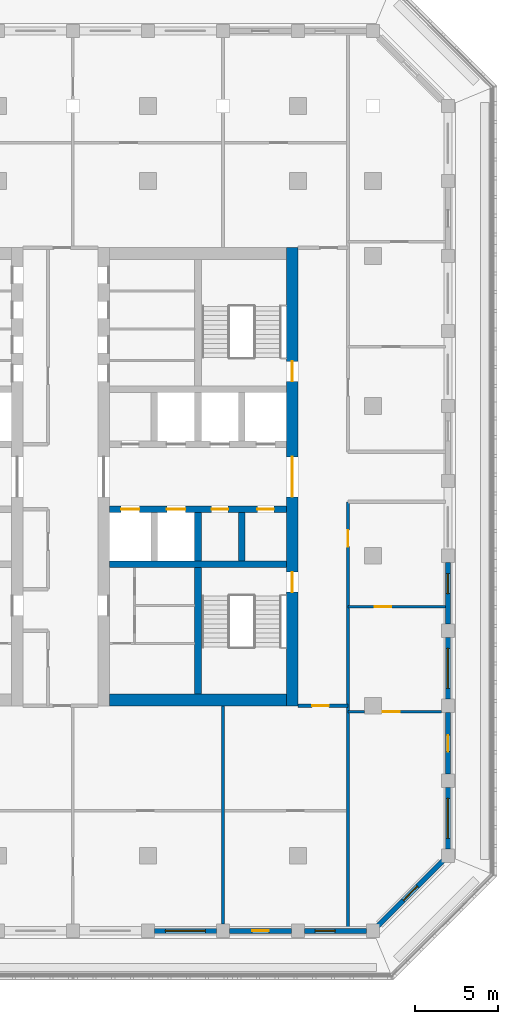
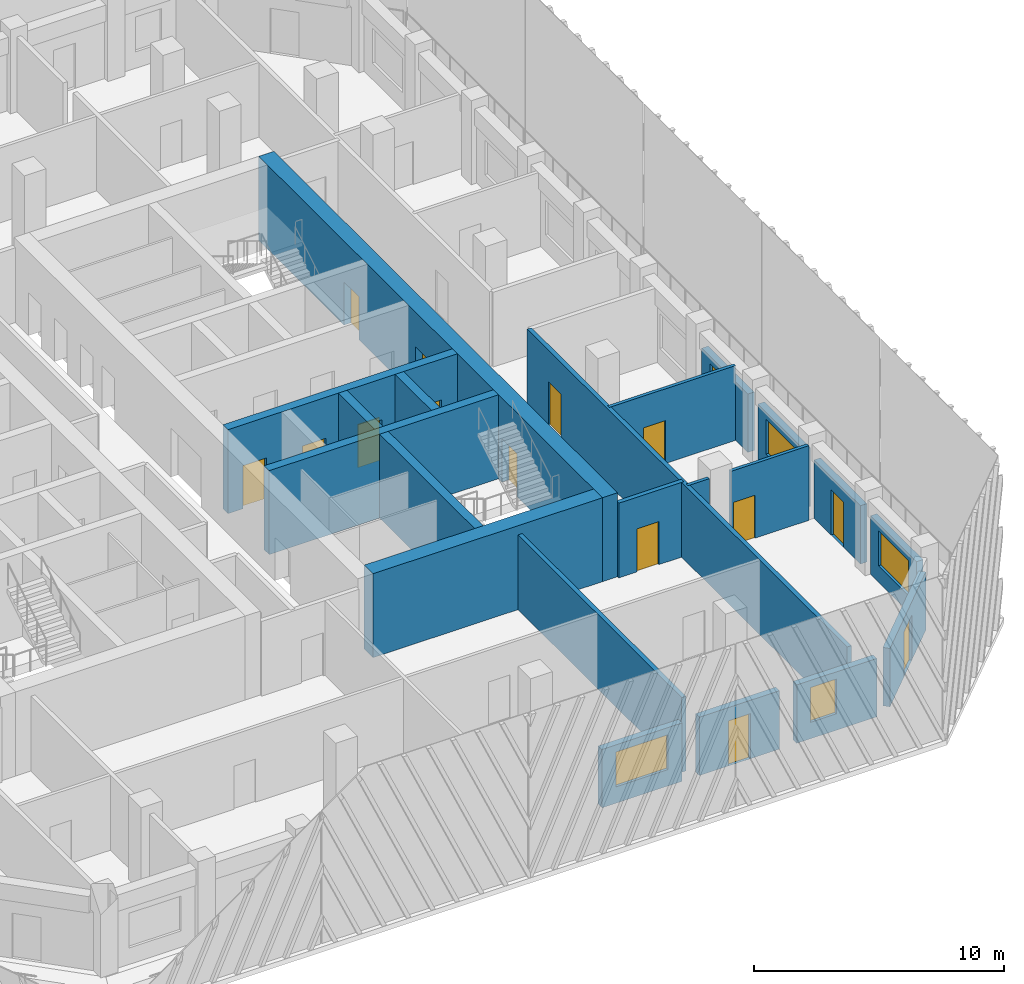
# One storey, part 5 of 17: 21 walls, 14 doors, 5 windows, 19 openings.
"""IFC4 building model written with IfcOpenShell, lengths in metres."""

from ifc_helpers import new_model, si_unit, direction, frame, frame_2d, origin, place, context, subcontext, project, spatial, rectangle, extrude, material, layer, layer_set, type_object, element, fill, save


model = new_model("IFC4")

# Units and contexts
model_context = context("Model", 3, precision=1e-05, world=origin(), true_north=direction((0.0, 1.0)))
body_context = subcontext(model_context, "Body", "Model", "MODEL_VIEW")
ifc_project = project(units=[si_unit("LENGTHUNIT", "METRE"), si_unit("AREAUNIT", "SQUARE_METRE"), si_unit("VOLUMEUNIT", "CUBIC_METRE"), si_unit("PLANEANGLEUNIT", "RADIAN"), si_unit("MASSUNIT", "GRAM", prefix="KILO")], contexts=[model_context])

# Site, building, storey
site_placement = place(None, origin())
site = spatial("IfcSite", under=ifc_project, at=site_placement, CompositionType="ELEMENT")
building_placement = place(site_placement, origin())
building = spatial("IfcBuilding", under=site, at=building_placement, Name="Corbel Stack Research Tower", CompositionType="ELEMENT")
storey_placement = place(building_placement, frame((0.0, 0.0, 231.60009765625)))
storey = spatial("IfcBuildingStorey", under=building, at=storey_placement, Name="L52", CompositionType="ELEMENT", Elevation=231.60009765625)

# Wall
ifc_material_1 = material(Name="Concrete C60/75", Category="concrete")
ifc_layer_1 = layer(ifc_material_1, 0.39990234375)
ifc_layer_set_1 = layer_set([ifc_layer_1], Name="Concrete C60/75")
wall_type_1 = type_object("IfcWallType", Name="CW-400-60", PredefinedType="SHEAR", material=ifc_layer_set_1)
wall_1_placement = place(storey_placement, frame((6.699951171875, -0.5, 0.0), z_axis=(0.0, 0.0, 1.0), x_axis=(1.0, 0.0, 0.0)))
element("IfcWall", 1, at=wall_1_placement, inside=storey, type_object=wall_type_1, Name="East core wall, south row back L52", PredefinedType="SHEAR", context=body_context, shape_type="SweptSolid", body=[
    extrude(rectangle(XDim=10.60009765625, YDim=0.39990234375, at=frame_2d((5.300048828125, 0.0))), origin(), (0.0, 0.0, 1.0), 4.099853515625),
])

# Wall, openings, doors
wall_2_placement = place(storey_placement, frame((6.699951171875, 2.800048828125, 0.0), z_axis=(0.0, 0.0, 1.0), x_axis=(1.0, 0.0, 0.0)))
wall_2 = element("IfcWall", 2, at=wall_2_placement, inside=storey, type_object=wall_type_1, Name="East core wall, lobby south L52", PredefinedType="SHEAR", context=body_context, shape_type="SweptSolid", body=[
    extrude(rectangle(XDim=10.60009765625, YDim=0.39990234375, at=frame_2d((5.300048828125, 0.0))), origin(), (0.0, 0.0, 1.0), 4.099853515625),
])
opening_1_placement = place(wall_2_placement, frame((0.6875, 0.0, 0.0)))
opening_1 = element("IfcOpeningElement", 3, at=opening_1_placement, cuts=wall_2, Name="Opening LD-FS2", PredefinedType="OPENING", context=body_context, shape_type="SweptSolid", body=[
    extrude(rectangle(XDim=1.10009765625, YDim=2.10009765625, at=frame_2d((0.550048828125, 1.050048828125))), frame((0.0, 0.2099609375, 0.0), z_axis=(0.0, -1.0, 0.0), x_axis=(1.0, 0.0, 0.0)), (0.0, 0.0, 1.0), 0.419921875),
])
opening_2_placement = place(wall_2_placement, frame((3.4375, 0.0, 0.0)))
opening_2 = element("IfcOpeningElement", 4, at=opening_2_placement, cuts=wall_2, Name="Opening LD-GL2", PredefinedType="OPENING", context=body_context, shape_type="SweptSolid", body=[
    extrude(rectangle(XDim=1.10009765625, YDim=2.10009765625, at=frame_2d((0.550048828125, 1.050048828125))), frame((0.0, 0.2099609375, 0.0), z_axis=(0.0, -1.0, 0.0), x_axis=(1.0, 0.0, 0.0)), (0.0, 0.0, 1.0), 0.419921875),
])
opening_3_placement = place(wall_2_placement, frame((6.112548828125, 0.0, 0.0)))
opening_3 = element("IfcOpeningElement", 5, at=opening_3_placement, cuts=wall_2, Name="Opening CR-E66-S3", PredefinedType="OPENING", context=body_context, shape_type="SweptSolid", body=[
    extrude(rectangle(XDim=1.0, YDim=2.10009765625, at=frame_2d((0.5, 1.050048828125))), frame((0.0, 0.2099609375, 0.0), z_axis=(0.0, -1.0, 0.0), x_axis=(1.0, 0.0, 0.0)), (0.0, 0.0, 1.0), 0.419921875),
])
opening_4_placement = place(wall_2_placement, frame((8.862548828125, 0.0, 0.0)))
opening_4 = element("IfcOpeningElement", 6, at=opening_4_placement, cuts=wall_2, Name="Opening CR-E66-S4", PredefinedType="OPENING", context=body_context, shape_type="SweptSolid", body=[
    extrude(rectangle(XDim=1.0, YDim=2.10009765625, at=frame_2d((0.5, 1.050048828125))), frame((0.0, 0.2099609375, 0.0), z_axis=(0.0, -1.0, 0.0), x_axis=(1.0, 0.0, 0.0)), (0.0, 0.0, 1.0), 0.419921875),
])
ifc_material_2 = material(Name="Stainless steel landing door", Category="steel")
door_type_1 = type_object("IfcDoorType", Name="Lift landing door 1100 x 2100", OperationType="DOUBLE_DOOR_SLIDING", PredefinedType="DOOR", material=ifc_material_2)
door_1_placement = place(opening_1_placement, origin())
door_1 = element("IfcDoor", 7, at=door_1_placement, inside=storey, type_object=door_type_1, Name="Landing door FS2", OperationType="DOUBLE_DOOR_SLIDING", OverallHeight=2.10009765625, OverallWidth=1.10009765625, PredefinedType="DOOR", context=body_context, shape_type="SweptSolid", body=[
    extrude(rectangle(XDim=1.10009765625, YDim=2.10009765625, at=frame_2d((0.550048828125, 1.050048828125))), frame((0.0, 0.02490234375, 0.0), z_axis=(0.0, -1.0, 0.0), x_axis=(1.0, 0.0, 0.0)), (0.0, 0.0, 1.0), 0.050048828125),
])
fill(opening_1, door_1)
door_2_placement = place(opening_2_placement, origin())
door_2 = element("IfcDoor", 8, at=door_2_placement, inside=storey, type_object=door_type_1, Name="Landing door GL2", OperationType="DOUBLE_DOOR_SLIDING", OverallHeight=2.10009765625, OverallWidth=1.10009765625, PredefinedType="DOOR", context=body_context, shape_type="SweptSolid", body=[
    extrude(rectangle(XDim=1.10009765625, YDim=2.10009765625, at=frame_2d((0.550048828125, 1.050048828125))), frame((0.0, 0.02490234375, 0.0), z_axis=(0.0, -1.0, 0.0), x_axis=(1.0, 0.0, 0.0)), (0.0, 0.0, 1.0), 0.050048828125),
])
fill(opening_2, door_2)
ifc_material_3 = material(Name="Painted steel door", Category="steel")
door_type_2 = type_object("IfcDoorType", Name="Service door 1000 x 2100 FD60 left hand", OperationType="SINGLE_SWING_LEFT", PredefinedType="DOOR", material=ifc_material_3)
door_3_placement = place(opening_3_placement, origin())
door_3 = element("IfcDoor", 9, at=door_3_placement, inside=storey, type_object=door_type_2, Name="Pantry door E core", OperationType="SINGLE_SWING_LEFT", OverallHeight=2.10009765625, OverallWidth=1.0, PredefinedType="DOOR", context=body_context, shape_type="SweptSolid", body=[
    extrude(rectangle(XDim=1.0, YDim=2.10009765625, at=frame_2d((0.5, 1.050048828125))), frame((0.0, 0.02490234375, 0.0), z_axis=(0.0, -1.0, 0.0), x_axis=(1.0, 0.0, 0.0)), (0.0, 0.0, 1.0), 0.050048828125),
])
fill(opening_3, door_3)
ifc_material_4 = material(Name="Painted steel door", Category="steel")
door_type_3 = type_object("IfcDoorType", Name="Service door 1000 x 2100 FD60 right hand", OperationType="SINGLE_SWING_RIGHT", PredefinedType="DOOR", material=ifc_material_4)
door_4_placement = place(opening_4_placement, origin())
door_4 = element("IfcDoor", 10, at=door_4_placement, inside=storey, type_object=door_type_3, Name="Staff WC door E core", OperationType="SINGLE_SWING_RIGHT", OverallHeight=2.10009765625, OverallWidth=1.0, PredefinedType="DOOR", context=body_context, shape_type="SweptSolid", body=[
    extrude(rectangle(XDim=1.0, YDim=2.10009765625, at=frame_2d((0.5, 1.050048828125))), frame((0.0, 0.02490234375, 0.0), z_axis=(0.0, -1.0, 0.0), x_axis=(1.0, 0.0, 0.0)), (0.0, 0.0, 1.0), 0.050048828125),
])
fill(opening_4, door_4)

# Walls
for number, where, z_axis, x_axis, name in (
    (11, (12.0, -0.300048828125, 0.0), (0.0, 0.0, 1.0), (0.0, 1.0, 0.0), "East core wall, south shaft 2 L52"),
    (12, (14.625, -0.300048828125, 0.0), (0.0, 0.0, 1.0), (0.0, 1.0, 0.0), "East core wall, south shaft 3 L52"),
):
    element("IfcWall", number, at=place(storey_placement, frame(where, z_axis=z_axis, x_axis=x_axis)), inside=storey, type_object=wall_type_1, Name=name, PredefinedType="SHEAR", context=body_context, shape_type="SweptSolid", body=[
        extrude(rectangle(XDim=2.900146484375, YDim=0.39990234375, at=frame_2d((1.4501953125, 0.0))), origin(), (0.0, 0.0, 1.0), 4.099853515625),
    ])
wall_3_placement = place(storey_placement, frame((12.0, -8.300048828125, 0.0), z_axis=(0.0, 0.0, 1.0), x_axis=(0.0, 1.0, 0.0)))
element("IfcWall", 13, at=wall_3_placement, inside=storey, type_object=wall_type_1, Name="East core wall, south stair and WC L52", PredefinedType="SHEAR", context=body_context, shape_type="SweptSolid", body=[
    extrude(rectangle(XDim=7.60009765625, YDim=0.39990234375, at=frame_2d((3.800048828125, 0.0))), origin(), (0.0, 0.0, 1.0), 4.099853515625),
])

# Wall, openings, doors
ifc_material_5 = material(Name="Concrete C60/75", Category="concrete")
ifc_layer_2 = layer(ifc_material_5, 0.699951171875)
ifc_layer_set_2 = layer_set([ifc_layer_2], Name="Concrete C60/75")
wall_type_2 = type_object("IfcWallType", Name="CW-700-60", PredefinedType="SHEAR", material=ifc_layer_set_2)
wall_4_placement = place(storey_placement, frame((17.64990234375, -9.0, 0.0), z_axis=(0.0, 0.0, 1.0), x_axis=(0.0, 1.0, 0.0)))
wall_4 = element("IfcWall", 14, at=wall_4_placement, inside=storey, type_object=wall_type_2, Name="East core wall, east face L52", PredefinedType="SHEAR", context=body_context, shape_type="SweptSolid", body=[
    extrude(rectangle(XDim=27.5, YDim=0.699951171875, at=frame_2d((13.75, 0.0))), origin(), (0.0, 0.0, 1.0), 4.099853515625),
])
opening_5_placement = place(wall_4_placement, frame((12.550048828125, 0.0, 0.0)))
opening_5 = element("IfcOpeningElement", 15, at=opening_5_placement, cuts=wall_4, Name="Opening CD-E-E", PredefinedType="OPENING", context=body_context, shape_type="SweptSolid", body=[
    extrude(rectangle(XDim=2.39990234375, YDim=2.39990234375, at=frame_2d((1.199951171875, 1.199951171875))), frame((0.0, 0.35986328125, 0.0), z_axis=(0.0, -1.0, 0.0), x_axis=(1.0, 0.0, 0.0)), (0.0, 0.0, 1.0), 0.719970703125),
])
opening_6_placement = place(wall_4_placement, frame((6.824951171875, 0.0, 0.0)))
opening_6 = element("IfcOpeningElement", 16, at=opening_6_placement, cuts=wall_4, Name="Opening SD-ST-E1", PredefinedType="OPENING", context=body_context, shape_type="SweptSolid", body=[
    extrude(rectangle(XDim=1.199951171875, YDim=2.10009765625, at=frame_2d((0.60009765625, 1.050048828125))), frame((0.0, 0.35986328125, 0.0), z_axis=(0.0, -1.0, 0.0), x_axis=(1.0, 0.0, 0.0)), (0.0, 0.0, 1.0), 0.719970703125),
])
opening_7_placement = place(wall_4_placement, frame((19.47509765625, 0.0, 0.0)))
opening_7 = element("IfcOpeningElement", 17, at=opening_7_placement, cuts=wall_4, Name="Opening SD-ST-E2", PredefinedType="OPENING", context=body_context, shape_type="SweptSolid", body=[
    extrude(rectangle(XDim=1.199951171875, YDim=2.10009765625, at=frame_2d((0.60009765625, 1.050048828125))), frame((0.0, 0.35986328125, 0.0), z_axis=(0.0, -1.0, 0.0), x_axis=(1.0, 0.0, 0.0)), (0.0, 0.0, 1.0), 0.719970703125),
])
ifc_material_6 = material(Name="Painted steel fire door", Category="steel")
door_type_4 = type_object("IfcDoorType", Name="Lobby door pair 2400 x 2400 FD30S", OperationType="DOUBLE_DOOR_DOUBLE_SWING", PredefinedType="DOOR", material=ifc_material_6)
door_5_placement = place(opening_5_placement, origin())
door_5 = element("IfcDoor", 18, at=door_5_placement, inside=storey, type_object=door_type_4, Name="Lift lobby door E core E", OperationType="DOUBLE_DOOR_DOUBLE_SWING", OverallHeight=2.39990234375, OverallWidth=2.39990234375, PredefinedType="DOOR", context=body_context, shape_type="SweptSolid", body=[
    extrude(rectangle(XDim=2.39990234375, YDim=2.39990234375, at=frame_2d((1.199951171875, 1.199951171875))), frame((0.0, 0.02490234375, 0.0), z_axis=(0.0, -1.0, 0.0), x_axis=(1.0, 0.0, 0.0)), (0.0, 0.0, 1.0), 0.050048828125),
])
fill(opening_5, door_5)
ifc_material_7 = material(Name="Painted steel fire door", Category="steel")
door_type_5 = type_object("IfcDoorType", Name="Stair door 1200 x 2100 FD90 right hand", OperationType="SINGLE_SWING_RIGHT", PredefinedType="DOOR", material=ifc_material_7)
door_6_placement = place(opening_6_placement, frame((1.199951171875, 0.0, 0.0), z_axis=(0.0, 0.0, 1.0), x_axis=(-1.0, 0.0, 0.0)))
door_6 = element("IfcDoor", 19, at=door_6_placement, inside=storey, type_object=door_type_5, Name="Stair door ST-E1", OperationType="SINGLE_SWING_LEFT", OverallHeight=2.10009765625, OverallWidth=1.199951171875, PredefinedType="DOOR", context=body_context, shape_type="SweptSolid", body=[
    extrude(rectangle(XDim=1.199951171875, YDim=2.10009765625, at=frame_2d((0.60009765625, 1.050048828125))), frame((0.0, 0.02490234375, 0.0), z_axis=(0.0, -1.0, 0.0), x_axis=(1.0, 0.0, 0.0)), (0.0, 0.0, 1.0), 0.050048828125),
])
fill(opening_6, door_6)
door_7_placement = place(opening_7_placement, frame((1.199951171875, 0.0, 0.0), z_axis=(0.0, 0.0, 1.0), x_axis=(-1.0, 0.0, 0.0)))
door_7 = element("IfcDoor", 20, at=door_7_placement, inside=storey, type_object=door_type_5, Name="Stair door ST-E2", OperationType="SINGLE_SWING_LEFT", OverallHeight=2.10009765625, OverallWidth=1.199951171875, PredefinedType="DOOR", context=body_context, shape_type="SweptSolid", body=[
    extrude(rectangle(XDim=1.199951171875, YDim=2.10009765625, at=frame_2d((0.60009765625, 1.050048828125))), frame((0.0, 0.02490234375, 0.0), z_axis=(0.0, -1.0, 0.0), x_axis=(1.0, 0.0, 0.0)), (0.0, 0.0, 1.0), 0.050048828125),
])
fill(opening_7, door_7)

# Walls
wall_5_placement = place(storey_placement, frame((6.699951171875, -8.64990234375, 0.0), z_axis=(0.0, 0.0, 1.0), x_axis=(1.0, 0.0, 0.0)))
element("IfcWall", 21, at=wall_5_placement, inside=storey, type_object=wall_type_2, Name="East core wall, south end L52", PredefinedType="SHEAR", context=body_context, shape_type="SweptSolid", body=[
    extrude(rectangle(XDim=10.60009765625, YDim=0.699951171875, at=frame_2d((5.300048828125, 0.0))), origin(), (0.0, 0.0, 1.0), 4.099853515625),
])
ifc_material_8 = material(Name="Fire-rated gypsum board partition on steel studs", Category="steel")
ifc_layer_3 = layer(ifc_material_8, 0.199951171875)
ifc_layer_set_3 = layer_set([ifc_layer_3], Name="Fire-rated gypsum board partition on steel studs")
wall_type_3 = type_object("IfcWallType", Name="Fire-rated partition 200 EI 60", PredefinedType="PARTITIONING", material=ifc_layer_set_3)
wall_6_placement = place(storey_placement, frame((13.5, -22.10009765625, 0.0), z_axis=(0.0, 0.0, 1.0), x_axis=(0.0, 1.0, 0.0)))
element("IfcWall", 22, at=wall_6_placement, inside=storey, type_object=wall_type_3, Name="Partition L52-013", PredefinedType="PARTITIONING", context=body_context, shape_type="SweptSolid", body=[
    extrude(rectangle(XDim=13.10009765625, YDim=0.199951171875, at=frame_2d((6.550048828125, 0.0))), origin(), (0.0, 0.0, 1.0), 3.64990234375),
])

# Wall, opening, door
wall_7_placement = place(storey_placement, frame((21.0, 3.25, 0.0), z_axis=(0.0, 0.0, 1.0), x_axis=(0.0, -1.0, 0.0)))
wall_7 = element("IfcWall", 23, at=wall_7_placement, inside=storey, type_object=wall_type_3, Name="Partition L52-016", PredefinedType="PARTITIONING", context=body_context, shape_type="SweptSolid", body=[
    extrude(rectangle(XDim=25.60009765625, YDim=0.199951171875, at=frame_2d((12.800048828125, 0.0))), origin(), (0.0, 0.0, 1.0), 3.64990234375),
])
opening_8_placement = place(wall_7_placement, frame((1.699951171875, 0.0, 0.0)))
opening_8 = element("IfcOpeningElement", 24, at=opening_8_placement, cuts=wall_7, Name="Opening B7V0H-026", PredefinedType="OPENING", context=body_context, shape_type="SweptSolid", body=[
    extrude(rectangle(XDim=1.0, YDim=2.10009765625, at=frame_2d((0.5, 1.050048828125))), frame((0.0, 0.10986328125, 0.0), z_axis=(0.0, -1.0, 0.0), x_axis=(1.0, 0.0, 0.0)), (0.0, 0.0, 1.0), 0.219970703125),
])
ifc_material_9 = material(Name="Painted steel fire door", Category="steel")
door_type_6 = type_object("IfcDoorType", Name="Fire door FD30S 1000 x 2100", OperationType="NOTDEFINED", PredefinedType="DOOR", material=ifc_material_9)
door_8_placement = place(opening_8_placement, origin())
door_8 = element("IfcDoor", 25, at=door_8_placement, inside=storey, type_object=door_type_6, Name="Door B7V0H-026", OperationType="SINGLE_SWING_LEFT", OverallHeight=2.10009765625, OverallWidth=1.0, PredefinedType="DOOR", context=body_context, shape_type="SweptSolid", body=[
    extrude(rectangle(XDim=1.0, YDim=2.10009765625, at=frame_2d((0.5, 1.050048828125))), frame((0.0, 0.02490234375, 0.0), z_axis=(0.0, -1.0, 0.0), x_axis=(1.0, 0.0, 0.0)), (0.0, 0.0, 1.0), 0.050048828125),
])
fill(opening_8, door_8)

wall_8_placement = place(storey_placement, frame((21.0, -9.0, 0.0), z_axis=(0.0, 0.0, 1.0), x_axis=(-1.0, 0.0, 0.0)))
wall_8 = element("IfcWall", 26, at=wall_8_placement, inside=storey, type_object=wall_type_3, Name="Partition L52-024", PredefinedType="PARTITIONING", context=body_context, shape_type="SweptSolid", body=[
    extrude(rectangle(XDim=3.0, YDim=0.199951171875, at=frame_2d((1.5, 0.0))), origin(), (0.0, 0.0, 1.0), 3.64990234375),
])
opening_9_placement = place(wall_8_placement, frame((1.14990234375, 0.0, 0.0)))
opening_9 = element("IfcOpeningElement", 27, at=opening_9_placement, cuts=wall_8, Name="Opening B7V0H-011", PredefinedType="OPENING", context=body_context, shape_type="SweptSolid", body=[
    extrude(rectangle(XDim=1.0, YDim=2.10009765625, at=frame_2d((0.5, 1.050048828125))), frame((0.0, 0.10986328125, 0.0), z_axis=(0.0, -1.0, 0.0), x_axis=(1.0, 0.0, 0.0)), (0.0, 0.0, 1.0), 0.219970703125),
])
door_9_placement = place(opening_9_placement, origin())
door_9 = element("IfcDoor", 28, at=door_9_placement, inside=storey, type_object=door_type_6, Name="Door B7V0H-011", OperationType="SINGLE_SWING_RIGHT", OverallHeight=2.10009765625, OverallWidth=1.0, PredefinedType="DOOR", context=body_context, shape_type="SweptSolid", body=[
    extrude(rectangle(XDim=1.0, YDim=2.10009765625, at=frame_2d((0.5, 1.050048828125))), frame((0.0, 0.02490234375, 0.0), z_axis=(0.0, -1.0, 0.0), x_axis=(1.0, 0.0, 0.0)), (0.0, 0.0, 1.0), 0.050048828125),
])
fill(opening_9, door_9)

# Wall
ifc_material_10 = material(Name="Gypsum board partition on steel studs", Category="steel")
ifc_layer_4 = layer(ifc_material_10, 0.14990234375)
ifc_layer_set_4 = layer_set([ifc_layer_4], Name="Gypsum board partition on steel studs")
wall_type_4 = type_object("IfcWallType", Name="Partition 150", PredefinedType="PARTITIONING", material=ifc_layer_set_4)
wall_9_placement = place(storey_placement, frame((21.0, -9.35009765625, 0.0), z_axis=(0.0, 0.0, 1.0), x_axis=(1.0, 0.0, 0.0)))
element("IfcWall", 29, at=wall_9_placement, inside=storey, type_object=wall_type_4, Name="Partition L52-020", PredefinedType="PARTITIONING", context=body_context, shape_type="SweptSolid", body=[
    extrude(rectangle(XDim=1.0, YDim=0.14990234375, at=frame_2d((0.5, 0.0))), origin(), (0.0, 0.0, 1.0), 3.64990234375),
])

# Wall, opening, door
wall_10_placement = place(storey_placement, frame((26.60009765625, -9.35009765625, 0.0), z_axis=(0.0, 0.0, 1.0), x_axis=(-1.0, 0.0, 0.0)))
wall_10 = element("IfcWall", 30, at=wall_10_placement, inside=storey, type_object=wall_type_4, Name="Partition L52-021", PredefinedType="PARTITIONING", context=body_context, shape_type="SweptSolid", body=[
    extrude(rectangle(XDim=3.60009765625, YDim=0.14990234375, at=frame_2d((1.800048828125, 0.0))), origin(), (0.0, 0.0, 1.0), 3.64990234375),
])
opening_10_placement = place(wall_10_placement, frame((2.5, 0.0, 0.0)))
opening_10 = element("IfcOpeningElement", 31, at=opening_10_placement, cuts=wall_10, Name="Opening B7V0H-008", PredefinedType="OPENING", context=body_context, shape_type="SweptSolid", body=[
    extrude(rectangle(XDim=1.0, YDim=2.10009765625, at=frame_2d((0.5, 1.050048828125))), frame((0.0, 0.0849609375, 0.0), z_axis=(0.0, -1.0, 0.0), x_axis=(1.0, 0.0, 0.0)), (0.0, 0.0, 1.0), 0.169921875),
])
ifc_material_11 = material(Name="Painted timber door", Category="wood")
door_type_7 = type_object("IfcDoorType", Name="Single door 1000 x 2100", OperationType="NOTDEFINED", PredefinedType="DOOR", material=ifc_material_11)
door_10_placement = place(opening_10_placement, origin())
door_10 = element("IfcDoor", 32, at=door_10_placement, inside=storey, type_object=door_type_7, Name="Door B7V0H-008", OperationType="SINGLE_SWING_RIGHT", OverallHeight=2.10009765625, OverallWidth=1.0, PredefinedType="DOOR", context=body_context, shape_type="SweptSolid", body=[
    extrude(rectangle(XDim=1.0, YDim=2.10009765625, at=frame_2d((0.5, 1.050048828125))), frame((0.0, 0.02490234375, 0.0), z_axis=(0.0, -1.0, 0.0), x_axis=(1.0, 0.0, 0.0)), (0.0, 0.0, 1.0), 0.050048828125),
])
fill(opening_10, door_10)

wall_11_placement = place(storey_placement, frame((26.85009765625, -3.050048828125, 0.0), z_axis=(0.0, 0.0, 1.0), x_axis=(-1.0, 0.0, 0.0)))
wall_11 = element("IfcWall", 33, at=wall_11_placement, inside=storey, type_object=wall_type_4, Name="Partition L52-027", PredefinedType="PARTITIONING", context=body_context, shape_type="SweptSolid", body=[
    extrude(rectangle(XDim=5.85009765625, YDim=0.14990234375, at=frame_2d((2.925048828125, 0.0))), origin(), (0.0, 0.0, 1.0), 3.64990234375),
])
opening_11_placement = place(wall_11_placement, frame((3.25, 0.0, 0.0)))
opening_11 = element("IfcOpeningElement", 34, at=opening_11_placement, cuts=wall_11, Name="Opening B7V0H-013", PredefinedType="OPENING", context=body_context, shape_type="SweptSolid", body=[
    extrude(rectangle(XDim=1.0, YDim=2.10009765625, at=frame_2d((0.5, 1.050048828125))), frame((0.0, 0.0849609375, 0.0), z_axis=(0.0, -1.0, 0.0), x_axis=(1.0, 0.0, 0.0)), (0.0, 0.0, 1.0), 0.169921875),
])
door_11_placement = place(opening_11_placement, origin())
door_11 = element("IfcDoor", 35, at=door_11_placement, inside=storey, type_object=door_type_7, Name="Door B7V0H-013", OperationType="SINGLE_SWING_RIGHT", OverallHeight=2.10009765625, OverallWidth=1.0, PredefinedType="DOOR", context=body_context, shape_type="SweptSolid", body=[
    extrude(rectangle(XDim=1.0, YDim=2.10009765625, at=frame_2d((0.5, 1.050048828125))), frame((0.0, 0.02490234375, 0.0), z_axis=(0.0, -1.0, 0.0), x_axis=(1.0, 0.0, 0.0)), (0.0, 0.0, 1.0), 0.050048828125),
])
fill(opening_11, door_11)

# Wall, opening, window
ifc_material_12 = material(Name="Concrete C45/55", Category="concrete")
ifc_layer_5 = layer(ifc_material_12, 0.300048828125)
ifc_layer_set_5 = layer_set([ifc_layer_5], Name="Concrete C45/55")
wall_type_5 = type_object("IfcWallType", Name="Terracotta-faced concrete wall 300", PredefinedType="SOLIDWALL", material=ifc_layer_set_5)
wall_12_placement = place(storey_placement, frame((13.10009765625, -22.5, 0.0), z_axis=(0.0, 0.0, 1.0), x_axis=(-1.0, 0.0, 0.0)))
wall_12 = element("IfcWall", 36, at=wall_12_placement, inside=storey, type_object=wall_type_5, Name="Facade wall L52 S06", PredefinedType="SOLIDWALL", context=body_context, shape_type="SweptSolid", body=[
    extrude(rectangle(XDim=3.7001953125, YDim=0.300048828125, at=frame_2d((1.85009765625, 0.0))), origin(), (0.0, 0.0, 1.0), 2.849853515625),
])
opening_12_placement = place(wall_12_placement, frame((0.64990234375, 0.0, 0.800048828125)))
opening_12 = element("IfcOpeningElement", 37, at=opening_12_placement, cuts=wall_12, Name="Opening W1", PredefinedType="OPENING", context=body_context, shape_type="SweptSolid", body=[
    extrude(rectangle(XDim=2.39990234375, YDim=1.699951171875, at=frame_2d((1.199951171875, 0.85009765625))), frame((0.0, 0.159912109375, 0.0), z_axis=(0.0, -1.0, 0.0), x_axis=(1.0, 0.0, 0.0)), (0.0, 0.0, 1.0), 0.320068359375),
])
ifc_material_13 = material(Name="Aluminium frame, clear double glazing", Category="aluminium")
window_type_1 = type_object("IfcWindowType", Name="Window W1 2400 x 1700", PartitioningType="SINGLE_PANEL", PredefinedType="WINDOW", material=ifc_material_13)
window_1_placement = place(opening_12_placement, origin())
window_1 = element("IfcWindow", 38, at=window_1_placement, inside=storey, type_object=window_type_1, Name="Window W1 L52 S06", OverallHeight=1.699951171875, OverallWidth=2.39990234375, PartitioningType="SINGLE_PANEL", PredefinedType="WINDOW", context=body_context, shape_type="SweptSolid", body=[
    extrude(rectangle(XDim=2.39990234375, YDim=1.699951171875, at=frame_2d((1.199951171875, 0.85009765625))), frame((0.0, 0.030029296875, 0.0), z_axis=(0.0, -1.0, 0.0), x_axis=(1.0, 0.0, 0.0)), (0.0, 0.0, 1.0), 0.06005859375),
])
fill(opening_12, window_1)

# Wall, opening, door
wall_13_placement = place(storey_placement, frame((17.60009765625, -22.5, 0.0), z_axis=(0.0, 0.0, 1.0), x_axis=(-1.0, 0.0, 0.0)))
wall_13 = element("IfcWall", 39, at=wall_13_placement, inside=storey, type_object=wall_type_5, Name="Facade wall L52 S07", PredefinedType="SOLIDWALL", context=body_context, shape_type="SweptSolid", body=[
    extrude(rectangle(XDim=3.7001953125, YDim=0.300048828125, at=frame_2d((1.85009765625, 0.0))), origin(), (0.0, 0.0, 1.0), 2.849853515625),
])
opening_13_placement = place(wall_13_placement, frame((1.35009765625, 0.0, 0.0)))
opening_13 = element("IfcOpeningElement", 40, at=opening_13_placement, cuts=wall_13, Name="Opening L52-B02", PredefinedType="OPENING", context=body_context, shape_type="SweptSolid", body=[
    extrude(rectangle(XDim=1.0, YDim=2.199951171875, at=frame_2d((0.5, 1.10009765625))), frame((0.0, 0.159912109375, 0.0), z_axis=(0.0, -1.0, 0.0), x_axis=(1.0, 0.0, 0.0)), (0.0, 0.0, 1.0), 0.320068359375),
])
ifc_material_14 = material(Name="Aluminium frame, clear double glazing", Category="aluminium")
door_type_8 = type_object("IfcDoorType", Name="Balcony door BD1 1000 x 2200", OperationType="NOTDEFINED", PredefinedType="DOOR", material=ifc_material_14)
door_12_placement = place(opening_13_placement, origin())
door_12 = element("IfcDoor", 41, at=door_12_placement, inside=storey, type_object=door_type_8, Name="Balcony door L52-B02", OperationType="SINGLE_SWING_LEFT", OverallHeight=2.199951171875, OverallWidth=1.0, PredefinedType="DOOR", context=body_context, shape_type="SweptSolid", body=[
    extrude(rectangle(XDim=1.0, YDim=2.199951171875, at=frame_2d((0.5, 1.10009765625))), frame((0.0, 0.02490234375, 0.0), z_axis=(0.0, -1.0, 0.0), x_axis=(1.0, 0.0, 0.0)), (0.0, 0.0, 1.0), 0.050048828125),
])
fill(opening_13, door_12)

# Wall, opening, window
wall_14_placement = place(storey_placement, frame((22.10009765625, -22.5, 0.0), z_axis=(0.0, 0.0, 1.0), x_axis=(-1.0, 0.0, 0.0)))
wall_14 = element("IfcWall", 42, at=wall_14_placement, inside=storey, type_object=wall_type_5, Name="Facade wall L52 S08", PredefinedType="SOLIDWALL", context=body_context, shape_type="SweptSolid", body=[
    extrude(rectangle(XDim=3.7001953125, YDim=0.300048828125, at=frame_2d((1.85009765625, 0.0))), origin(), (0.0, 0.0, 1.0), 2.849853515625),
])
opening_14_placement = place(wall_14_placement, frame((1.875, 0.0, 0.800048828125)))
opening_14 = element("IfcOpeningElement", 43, at=opening_14_placement, cuts=wall_14, Name="Opening W2", PredefinedType="OPENING", context=body_context, shape_type="SweptSolid", body=[
    extrude(rectangle(XDim=1.199951171875, YDim=1.699951171875, at=frame_2d((0.60009765625, 0.85009765625))), frame((0.0, 0.159912109375, 0.0), z_axis=(0.0, -1.0, 0.0), x_axis=(1.0, 0.0, 0.0)), (0.0, 0.0, 1.0), 0.320068359375),
])
ifc_material_15 = material(Name="Aluminium frame, clear double glazing", Category="aluminium")
window_type_2 = type_object("IfcWindowType", Name="Window W2 1200 x 1700", PartitioningType="SINGLE_PANEL", PredefinedType="WINDOW", material=ifc_material_15)
window_2_placement = place(opening_14_placement, origin())
window_2 = element("IfcWindow", 44, at=window_2_placement, inside=storey, type_object=window_type_2, Name="Window W2 L52 S08", OverallHeight=1.699951171875, OverallWidth=1.199951171875, PartitioningType="SINGLE_PANEL", PredefinedType="WINDOW", context=body_context, shape_type="SweptSolid", body=[
    extrude(rectangle(XDim=1.199951171875, YDim=1.699951171875, at=frame_2d((0.60009765625, 0.85009765625))), frame((0.0, 0.030029296875, 0.0), z_axis=(0.0, -1.0, 0.0), x_axis=(1.0, 0.0, 0.0)), (0.0, 0.0, 1.0), 0.06005859375),
])
fill(opening_14, window_2)

# Wall, opening, door
wall_15_placement = place(storey_placement, frame((26.7060546875, -18.2939453125, 0.0), z_axis=(0.0, 0.0, 1.0), x_axis=(-0.707106781187, -0.707106781187, 0.0)))
wall_15 = element("IfcWall", 45, at=wall_15_placement, inside=storey, type_object=wall_type_5, Name="Facade wall L52 SE01", PredefinedType="SOLIDWALL", context=body_context, shape_type="SweptSolid", body=[
    extrude(rectangle(XDim=5.532470703125, YDim=0.300048828125, at=frame_2d((2.76611328125, 0.0))), origin(), (0.0, 0.0, 1.0), 2.849853515625),
])
opening_15_placement = place(wall_15_placement, frame((2.166259765625, 0.0, 0.0)))
opening_15 = element("IfcOpeningElement", 46, at=opening_15_placement, cuts=wall_15, Name="Opening L52-B03", PredefinedType="OPENING", context=body_context, shape_type="SweptSolid", body=[
    extrude(rectangle(XDim=1.199951171875, YDim=2.199951171875, at=frame_2d((0.60009765625, 1.10009765625))), frame((0.0, 0.159912109375, 0.0), z_axis=(0.0, -1.0, 0.0), x_axis=(1.0, 0.0, 0.0)), (0.0, 0.0, 1.0), 0.320068359375),
])
ifc_material_16 = material(Name="Aluminium frame, clear double glazing", Category="aluminium")
door_type_9 = type_object("IfcDoorType", Name="Balcony door BD2 1200 x 2200", OperationType="NOTDEFINED", PredefinedType="DOOR", material=ifc_material_16)
door_13_placement = place(opening_15_placement, origin())
door_13 = element("IfcDoor", 47, at=door_13_placement, inside=storey, type_object=door_type_9, Name="Balcony door L52-B03", OperationType="SINGLE_SWING_LEFT", OverallHeight=2.199951171875, OverallWidth=1.199951171875, PredefinedType="DOOR", context=body_context, shape_type="SweptSolid", body=[
    extrude(rectangle(XDim=1.199951171875, YDim=2.199951171875, at=frame_2d((0.60009765625, 1.10009765625))), frame((0.0, 0.02490234375, 0.0), z_axis=(0.0, -1.0, 0.0), x_axis=(1.0, 0.0, 0.0)), (0.0, 0.0, 1.0), 0.050048828125),
])
fill(opening_15, door_13)

# Wall, opening, window
wall_16_placement = place(storey_placement, frame((27.0, -13.89990234375, 0.0), z_axis=(0.0, 0.0, 1.0), x_axis=(0.0, -1.0, 0.0)))
wall_16 = element("IfcWall", 48, at=wall_16_placement, inside=storey, type_object=wall_type_5, Name="Facade wall L52 E01", PredefinedType="SOLIDWALL", context=body_context, shape_type="SweptSolid", body=[
    extrude(rectangle(XDim=3.7001953125, YDim=0.300048828125, at=frame_2d((1.85009765625, 0.0))), origin(), (0.0, 0.0, 1.0), 2.849853515625),
])
opening_16_placement = place(wall_16_placement, frame((0.64990234375, 0.0, 0.800048828125)))
opening_16 = element("IfcOpeningElement", 49, at=opening_16_placement, cuts=wall_16, Name="Opening W1", PredefinedType="OPENING", context=body_context, shape_type="SweptSolid", body=[
    extrude(rectangle(XDim=2.39990234375, YDim=1.699951171875, at=frame_2d((1.199951171875, 0.85009765625))), frame((0.0, 0.159912109375, 0.0), z_axis=(0.0, -1.0, 0.0), x_axis=(1.0, 0.0, 0.0)), (0.0, 0.0, 1.0), 0.320068359375),
])
window_3_placement = place(opening_16_placement, origin())
window_3 = element("IfcWindow", 50, at=window_3_placement, inside=storey, type_object=window_type_1, Name="Window W1 L52 E01", OverallHeight=1.699951171875, OverallWidth=2.39990234375, PartitioningType="SINGLE_PANEL", PredefinedType="WINDOW", context=body_context, shape_type="SweptSolid", body=[
    extrude(rectangle(XDim=2.39990234375, YDim=1.699951171875, at=frame_2d((1.199951171875, 0.85009765625))), frame((0.0, 0.030029296875, 0.0), z_axis=(0.0, -1.0, 0.0), x_axis=(1.0, 0.0, 0.0)), (0.0, 0.0, 1.0), 0.06005859375),
])
fill(opening_16, window_3)

# Wall, opening, door
wall_17_placement = place(storey_placement, frame((27.0, -9.39990234375, 0.0), z_axis=(0.0, 0.0, 1.0), x_axis=(0.0, -1.0, 0.0)))
wall_17 = element("IfcWall", 51, at=wall_17_placement, inside=storey, type_object=wall_type_5, Name="Facade wall L52 E02", PredefinedType="SOLIDWALL", context=body_context, shape_type="SweptSolid", body=[
    extrude(rectangle(XDim=3.7001953125, YDim=0.300048828125, at=frame_2d((1.85009765625, 0.0))), origin(), (0.0, 0.0, 1.0), 2.849853515625),
])
opening_17_placement = place(wall_17_placement, frame((1.35009765625, 0.0, 0.0)))
opening_17 = element("IfcOpeningElement", 52, at=opening_17_placement, cuts=wall_17, Name="Opening L52-B04", PredefinedType="OPENING", context=body_context, shape_type="SweptSolid", body=[
    extrude(rectangle(XDim=1.0, YDim=2.199951171875, at=frame_2d((0.5, 1.10009765625))), frame((0.0, 0.159912109375, 0.0), z_axis=(0.0, -1.0, 0.0), x_axis=(1.0, 0.0, 0.0)), (0.0, 0.0, 1.0), 0.320068359375),
])
door_14_placement = place(opening_17_placement, origin())
door_14 = element("IfcDoor", 53, at=door_14_placement, inside=storey, type_object=door_type_8, Name="Balcony door L52-B04", OperationType="SINGLE_SWING_RIGHT", OverallHeight=2.199951171875, OverallWidth=1.0, PredefinedType="DOOR", context=body_context, shape_type="SweptSolid", body=[
    extrude(rectangle(XDim=1.0, YDim=2.199951171875, at=frame_2d((0.5, 1.10009765625))), frame((0.0, 0.02490234375, 0.0), z_axis=(0.0, -1.0, 0.0), x_axis=(1.0, 0.0, 0.0)), (0.0, 0.0, 1.0), 0.050048828125),
])
fill(opening_17, door_14)

# Wall, opening, window
wall_18_placement = place(storey_placement, frame((27.0, -4.89990234375, 0.0), z_axis=(0.0, 0.0, 1.0), x_axis=(0.0, -1.0, 0.0)))
wall_18 = element("IfcWall", 54, at=wall_18_placement, inside=storey, type_object=wall_type_5, Name="Facade wall L52 E03", PredefinedType="SOLIDWALL", context=body_context, shape_type="SweptSolid", body=[
    extrude(rectangle(XDim=3.7001953125, YDim=0.300048828125, at=frame_2d((1.85009765625, 0.0))), origin(), (0.0, 0.0, 1.0), 2.849853515625),
])
opening_18_placement = place(wall_18_placement, frame((0.64990234375, 0.0, 0.800048828125)))
opening_18 = element("IfcOpeningElement", 55, at=opening_18_placement, cuts=wall_18, Name="Opening W1", PredefinedType="OPENING", context=body_context, shape_type="SweptSolid", body=[
    extrude(rectangle(XDim=2.39990234375, YDim=1.699951171875, at=frame_2d((1.199951171875, 0.85009765625))), frame((0.0, 0.159912109375, 0.0), z_axis=(0.0, -1.0, 0.0), x_axis=(1.0, 0.0, 0.0)), (0.0, 0.0, 1.0), 0.320068359375),
])
window_4_placement = place(opening_18_placement, origin())
window_4 = element("IfcWindow", 56, at=window_4_placement, inside=storey, type_object=window_type_1, Name="Window W1 L52 E03", OverallHeight=1.699951171875, OverallWidth=2.39990234375, PartitioningType="SINGLE_PANEL", PredefinedType="WINDOW", context=body_context, shape_type="SweptSolid", body=[
    extrude(rectangle(XDim=2.39990234375, YDim=1.699951171875, at=frame_2d((1.199951171875, 0.85009765625))), frame((0.0, 0.030029296875, 0.0), z_axis=(0.0, -1.0, 0.0), x_axis=(1.0, 0.0, 0.0)), (0.0, 0.0, 1.0), 0.06005859375),
])
fill(opening_18, window_4)

wall_19_placement = place(storey_placement, frame((27.0, -0.39990234375, 0.0), z_axis=(0.0, 0.0, 1.0), x_axis=(0.0, -1.0, 0.0)))
wall_19 = element("IfcWall", 57, at=wall_19_placement, inside=storey, type_object=wall_type_5, Name="Facade wall L52 E04", PredefinedType="SOLIDWALL", context=body_context, shape_type="SweptSolid", body=[
    extrude(rectangle(XDim=3.7001953125, YDim=0.300048828125, at=frame_2d((1.85009765625, 0.0))), origin(), (0.0, 0.0, 1.0), 2.849853515625),
])
opening_19_placement = place(wall_19_placement, frame((0.66259765625, 0.0, 0.800048828125)))
opening_19 = element("IfcOpeningElement", 58, at=opening_19_placement, cuts=wall_19, Name="Opening W2", PredefinedType="OPENING", context=body_context, shape_type="SweptSolid", body=[
    extrude(rectangle(XDim=1.199951171875, YDim=1.699951171875, at=frame_2d((0.60009765625, 0.85009765625))), frame((0.0, 0.159912109375, 0.0), z_axis=(0.0, -1.0, 0.0), x_axis=(1.0, 0.0, 0.0)), (0.0, 0.0, 1.0), 0.320068359375),
])
window_5_placement = place(opening_19_placement, origin())
window_5 = element("IfcWindow", 59, at=window_5_placement, inside=storey, type_object=window_type_2, Name="Window W2 L52 E04", OverallHeight=1.699951171875, OverallWidth=1.199951171875, PartitioningType="SINGLE_PANEL", PredefinedType="WINDOW", context=body_context, shape_type="SweptSolid", body=[
    extrude(rectangle(XDim=1.199951171875, YDim=1.699951171875, at=frame_2d((0.60009765625, 0.85009765625))), frame((0.0, 0.030029296875, 0.0), z_axis=(0.0, -1.0, 0.0), x_axis=(1.0, 0.0, 0.0)), (0.0, 0.0, 1.0), 0.06005859375),
])
fill(opening_19, window_5)

save(model, "model.ifc")
